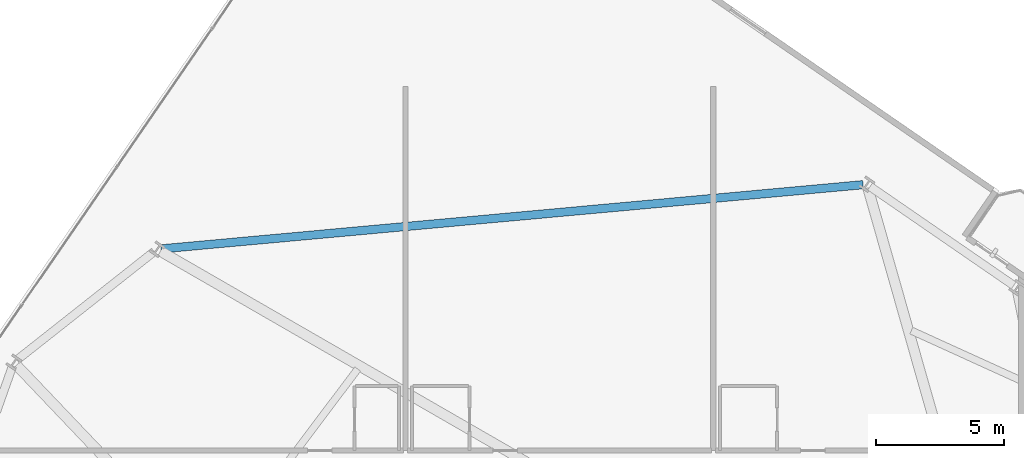
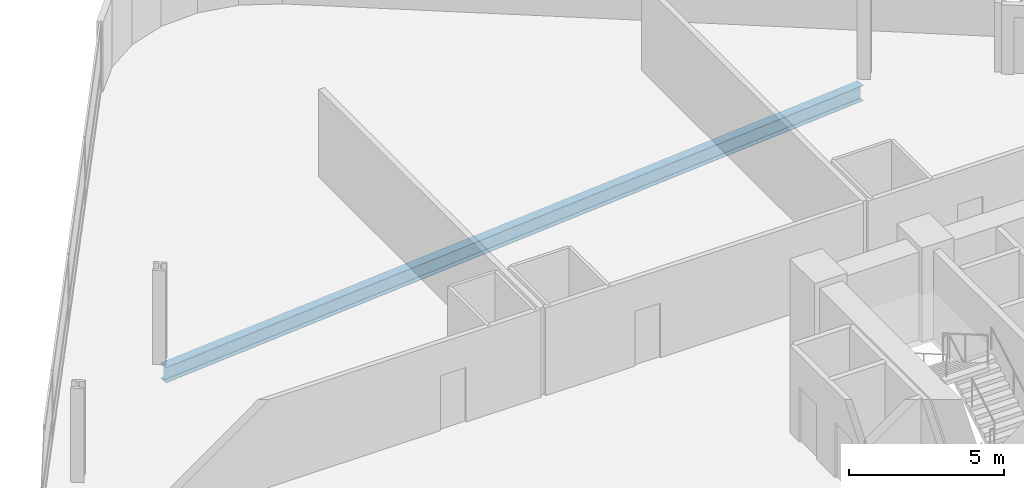
# One storey, part 14 of 25: 1 beam.
"""IFC4 building model written with IfcOpenShell, lengths in metres."""

from ifc_helpers import new_model, si_unit, direction, frame, origin, origin_2d, place, context, subcontext, project, spatial, i_section, extrude, material, material_profile, profile_set, type_object, element, save


model = new_model("IFC4")

# Units and contexts
model_context = context("Model", 3, precision=1e-05, world=origin(), true_north=direction((0.0, 1.0)))
body_context = subcontext(model_context, "Body", "Model", "MODEL_VIEW")
ifc_project = project(units=[si_unit("LENGTHUNIT", "METRE"), si_unit("AREAUNIT", "SQUARE_METRE"), si_unit("VOLUMEUNIT", "CUBIC_METRE"), si_unit("PLANEANGLEUNIT", "RADIAN"), si_unit("MASSUNIT", "GRAM", prefix="KILO")], contexts=[model_context])

# Site, building, storey
site_placement = place(None, origin())
site = spatial("IfcSite", under=ifc_project, at=site_placement, CompositionType="ELEMENT")
building_placement = place(site_placement, origin())
building = spatial("IfcBuilding", under=site, at=building_placement, Name="Varnelok Gate Tower", CompositionType="ELEMENT")
storey_placement = place(building_placement, frame((0.0, 0.0, 49.199951171875)))
storey = spatial("IfcBuildingStorey", under=building, at=storey_placement, Name="L11", CompositionType="ELEMENT", Elevation=49.199951171875)

# Beam
ifc_material = material(Name="Structural Steel ASTM A992 Grade 50", Category="steel")
ifc_material_profile = material_profile(ifc_material, i_section(OverallWidth=0.323974609375, OverallDepth=0.611083984375, WebThickness=0.0126953125, FlangeThickness=0.01904296875, FilletRadius=0.01806640625, at=origin_2d()), Name="W24X104")
ifc_profile_set = profile_set([ifc_material_profile], Name="Structural Steel ASTM A992 Grade 50")
beam_type = type_object("IfcBeamType", Name="BM-SPN-W24X104", PredefinedType="SPANDREL", material=ifc_profile_set)
beam_placement = place(storey_placement, frame((39.8359375, 52.163818359375, -0.555419921875), z_axis=(-0.995845891963, -0.091054705864, 0.0), x_axis=(0.091054705864, -0.995845891963, 0.0)))
element("IfcBeam", 1, at=beam_placement, inside=storey, type_object=beam_type, Name="L11 Perimeter Spandrel Beam 13", PredefinedType="SPANDREL", context=body_context, shape_type="SweptSolid", body=[
    extrude(i_section(OverallWidth=0.323974609375, OverallDepth=0.611083984375, WebThickness=0.0126953125, FlangeThickness=0.01904296875, FilletRadius=0.01806640625, at=origin_2d()), origin(), (0.0, 0.0, 1.0), 27.485595703125),
])

save(model, "model.ifc")
